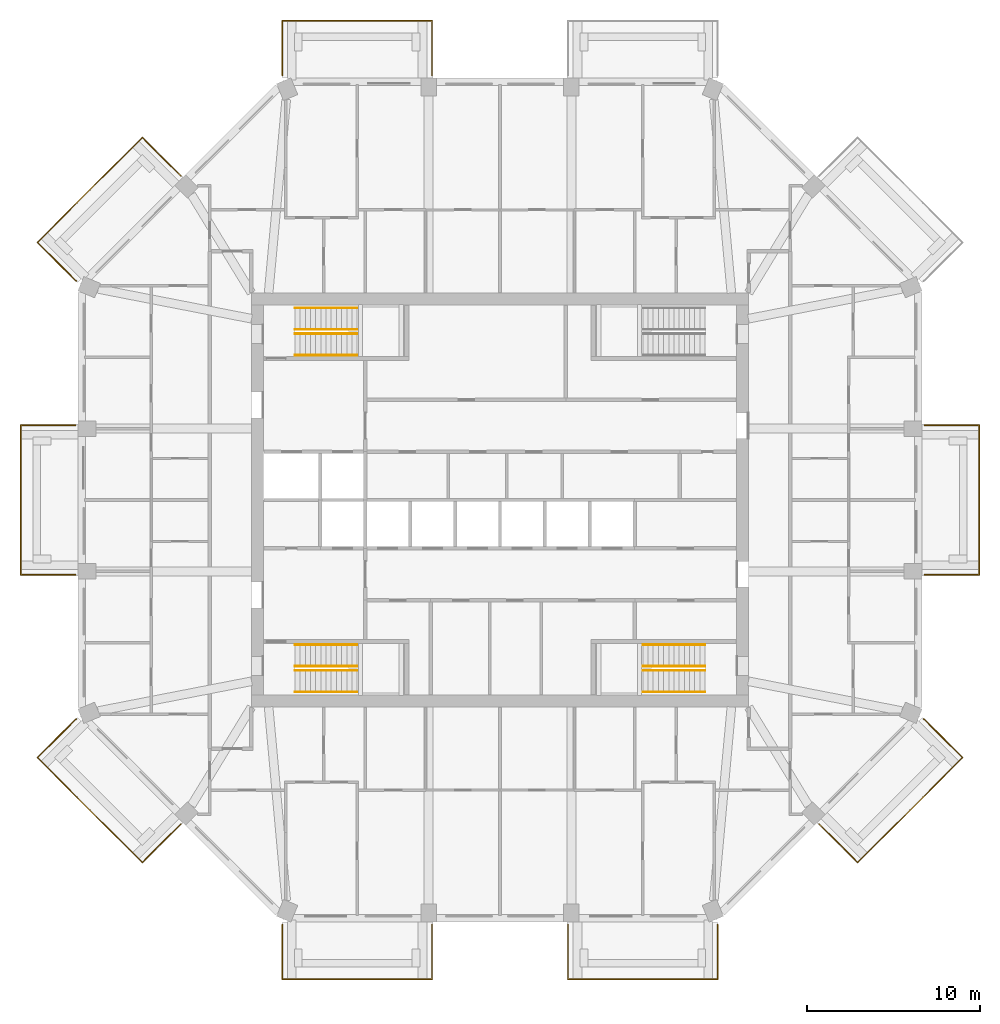
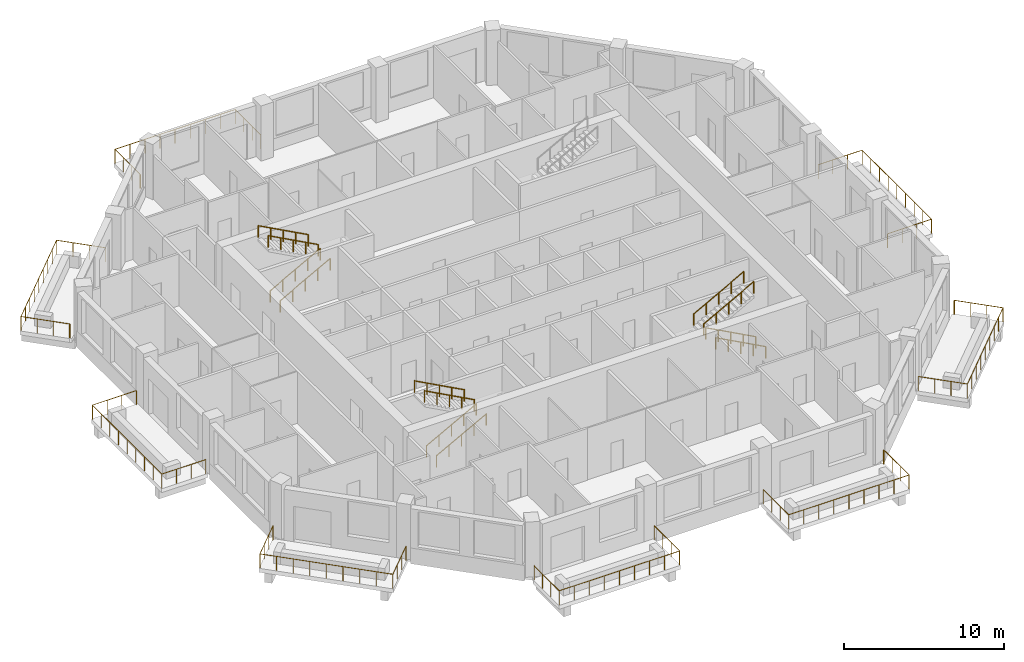
# One storey, part 11 of 12: 20 railings.
"""IFC4 building model written with IfcOpenShell, lengths in metres."""

from ifc_helpers import new_model, si_unit, direction, frame, origin, origin_2d, place, context, subcontext, project, spatial, circle, extrude, material, constituent, constituent_set, type_object, element, save


model = new_model("IFC4")

# Units and contexts
model_context = context("Model", 3, precision=1e-05, world=origin(), true_north=direction((0.0, 1.0)))
body_context = subcontext(model_context, "Body", "Model", "MODEL_VIEW")
ifc_project = project(units=[si_unit("LENGTHUNIT", "METRE"), si_unit("AREAUNIT", "SQUARE_METRE"), si_unit("VOLUMEUNIT", "CUBIC_METRE"), si_unit("PLANEANGLEUNIT", "RADIAN"), si_unit("MASSUNIT", "GRAM", prefix="KILO")], contexts=[model_context])

# Site, building, storey
site_placement = place(None, origin())
site = spatial("IfcSite", under=ifc_project, at=site_placement, CompositionType="ELEMENT")
building_placement = place(site_placement, origin())
building = spatial("IfcBuilding", under=site, at=building_placement, Name="Msitu Wima Residences", CompositionType="ELEMENT")
storey_placement = place(building_placement, frame((0.0, 0.0, 183.300048828125)))
storey = spatial("IfcBuildingStorey", under=building, at=storey_placement, Name="L42", CompositionType="ELEMENT", Elevation=183.300048828125)

# Railings
ifc_material_1 = material(Name="Steel S355", Category="steel")
ifc_constituent_1 = constituent(ifc_material_1, Name="Steel S355")
ifc_material_2 = material(Name="Weathering patina")
ifc_constituent_2 = constituent(ifc_material_2, Name="Weathering patina")
ifc_constituent_set_1 = constituent_set(constituents=[ifc_constituent_1, ifc_constituent_2], Name="Steel S355")
railing_type_1 = type_object("IfcRailingType", Name="Balcony guard GR1100", PredefinedType="GUARDRAIL", material=ifc_constituent_set_1)
railing_1_placement = place(storey_placement, frame((24.580078125, 4.337158203125, 0.0)))
element("IfcRailing", 1, at=railing_1_placement, inside=storey, type_object=railing_type_1, Name="Balcony guard E1 L42", PredefinedType="GUARDRAIL", context=body_context, shape_type="SweptSolid", body=[
    extrude(circle(Radius=0.02392578125, at=origin_2d()), frame((0.0, 0.0, 1.076171875), z_axis=(1.0, 0.0, 0.0), x_axis=(0.0, 1.0, 0.0)), (0.0, 0.0, 1.0), 3.169921875),
    extrude(circle(Radius=0.02392578125, at=origin_2d()), frame((3.169921875, 0.0, 1.076171875), z_axis=(0.0, -1.0, 0.0), x_axis=(1.0, 0.0, 0.0)), (0.0, 0.0, 1.0), 8.67431640625),
    extrude(circle(Radius=0.02392578125, at=origin_2d()), frame((3.169921875, -8.67431640625, 1.076171875), z_axis=(-1.0, 0.0, 0.0), x_axis=(0.0, -1.0, 0.0)), (0.0, 0.0, 1.0), 3.169921875),
    extrude(circle(Radius=0.02099609375, at=origin_2d()), origin(), (0.0, 0.0, 1.0), 1.052001953125),
    extrude(circle(Radius=0.02099609375, at=origin_2d()), frame((1.056640625, 0.0, 0.0)), (0.0, 0.0, 1.0), 1.052001953125),
    extrude(circle(Radius=0.02099609375, at=origin_2d()), frame((2.11328125, 0.0, 0.0)), (0.0, 0.0, 1.0), 1.052001953125),
    extrude(circle(Radius=0.02099609375, at=origin_2d()), frame((3.169921875, 0.0, 0.0)), (0.0, 0.0, 1.0), 1.052001953125),
    extrude(circle(Radius=0.02099609375, at=origin_2d()), frame((3.169921875, -1.084228515625, 0.0)), (0.0, 0.0, 1.0), 1.052001953125),
    extrude(circle(Radius=0.02099609375, at=origin_2d()), frame((3.169921875, -2.16845703125, 0.0)), (0.0, 0.0, 1.0), 1.052001953125),
    extrude(circle(Radius=0.02099609375, at=origin_2d()), frame((3.169921875, -3.2529296875, 0.0)), (0.0, 0.0, 1.0), 1.052001953125),
    extrude(circle(Radius=0.02099609375, at=origin_2d()), frame((3.169921875, -4.337158203125, 0.0)), (0.0, 0.0, 1.0), 1.052001953125),
    extrude(circle(Radius=0.02099609375, at=origin_2d()), frame((3.169921875, -5.42138671875, 0.0)), (0.0, 0.0, 1.0), 1.052001953125),
    extrude(circle(Radius=0.02099609375, at=origin_2d()), frame((3.169921875, -6.505859375, 0.0)), (0.0, 0.0, 1.0), 1.052001953125),
    extrude(circle(Radius=0.02099609375, at=origin_2d()), frame((3.169921875, -7.590087890625, 0.0)), (0.0, 0.0, 1.0), 1.052001953125),
    extrude(circle(Radius=0.02099609375, at=origin_2d()), frame((3.169921875, -8.67431640625, 0.0)), (0.0, 0.0, 1.0), 1.052001953125),
    extrude(circle(Radius=0.02099609375, at=origin_2d()), frame((2.11328125, -8.67431640625, 0.0)), (0.0, 0.0, 1.0), 1.052001953125),
    extrude(circle(Radius=0.02099609375, at=origin_2d()), frame((1.056640625, -8.67431640625, 0.0)), (0.0, 0.0, 1.0), 1.052001953125),
    extrude(circle(Radius=0.02099609375, at=origin_2d()), frame((0.0, -8.67431640625, 0.0)), (0.0, 0.0, 1.0), 1.052001953125),
])
railing_2_placement = place(storey_placement, frame((-12.597900390625, 24.580078125, 0.0)))
element("IfcRailing", 2, at=railing_2_placement, inside=storey, type_object=railing_type_1, Name="Balcony guard N2 L42", PredefinedType="GUARDRAIL", context=body_context, shape_type="SweptSolid", body=[
    extrude(circle(Radius=0.02392578125, at=origin_2d()), frame((0.0, 0.0, 1.076171875), z_axis=(-0.384136806859, 0.923276184907, 0.0), x_axis=(-0.923276184907, -0.384136806859, 0.0)), (0.0, 0.0, 1.0), 0.0361328125),
    extrude(circle(Radius=0.02392578125, at=origin_2d()), frame((-0.013916015625, 0.033447265625, 1.076171875), z_axis=(0.0, 1.0, 0.0), x_axis=(-1.0, 0.0, 0.0)), (0.0, 0.0, 1.0), 3.136474609375),
    extrude(circle(Radius=0.02392578125, at=origin_2d()), frame((-0.013916015625, 3.169921875, 1.076171875), z_axis=(1.0, 0.0, 0.0), x_axis=(0.0, 1.0, 0.0)), (0.0, 0.0, 1.0), 8.674560546875),
    extrude(circle(Radius=0.02392578125, at=origin_2d()), frame((8.66064453125, 3.169921875, 1.076171875), z_axis=(0.0, -1.0, 0.0), x_axis=(1.0, 0.0, 0.0)), (0.0, 0.0, 1.0), 3.169921875),
    extrude(circle(Radius=0.02099609375, at=origin_2d()), origin(), (0.0, 0.0, 1.0), 1.052001953125),
    extrude(circle(Radius=0.02099609375, at=origin_2d()), frame((-0.013916015625, 0.033447265625, 0.0)), (0.0, 0.0, 1.0), 1.052001953125),
    extrude(circle(Radius=0.02099609375, at=origin_2d()), frame((-0.013916015625, 1.078857421875, 0.0)), (0.0, 0.0, 1.0), 1.052001953125),
    extrude(circle(Radius=0.02099609375, at=origin_2d()), frame((-0.013916015625, 2.12451171875, 0.0)), (0.0, 0.0, 1.0), 1.052001953125),
    extrude(circle(Radius=0.02099609375, at=origin_2d()), frame((-0.013916015625, 3.169921875, 0.0)), (0.0, 0.0, 1.0), 1.052001953125),
    extrude(circle(Radius=0.02099609375, at=origin_2d()), frame((1.0703125, 3.169921875, 0.0)), (0.0, 0.0, 1.0), 1.052001953125),
    extrude(circle(Radius=0.02099609375, at=origin_2d()), frame((2.15478515625, 3.169921875, 0.0)), (0.0, 0.0, 1.0), 1.052001953125),
    extrude(circle(Radius=0.02099609375, at=origin_2d()), frame((3.239013671875, 3.169921875, 0.0)), (0.0, 0.0, 1.0), 1.052001953125),
    extrude(circle(Radius=0.02099609375, at=origin_2d()), frame((4.3232421875, 3.169921875, 0.0)), (0.0, 0.0, 1.0), 1.052001953125),
    extrude(circle(Radius=0.02099609375, at=origin_2d()), frame((5.40771484375, 3.169921875, 0.0)), (0.0, 0.0, 1.0), 1.052001953125),
    extrude(circle(Radius=0.02099609375, at=origin_2d()), frame((6.491943359375, 3.169921875, 0.0)), (0.0, 0.0, 1.0), 1.052001953125),
    extrude(circle(Radius=0.02099609375, at=origin_2d()), frame((7.576416015625, 3.169921875, 0.0)), (0.0, 0.0, 1.0), 1.052001953125),
    extrude(circle(Radius=0.02099609375, at=origin_2d()), frame((8.66064453125, 3.169921875, 0.0)), (0.0, 0.0, 1.0), 1.052001953125),
    extrude(circle(Radius=0.02099609375, at=origin_2d()), frame((8.66064453125, 2.11328125, 0.0)), (0.0, 0.0, 1.0), 1.052001953125),
    extrude(circle(Radius=0.02099609375, at=origin_2d()), frame((8.66064453125, 1.056640625, 0.0)), (0.0, 0.0, 1.0), 1.052001953125),
    extrude(circle(Radius=0.02099609375, at=origin_2d()), frame((8.66064453125, 0.0, 0.0)), (0.0, 0.0, 1.0), 1.052001953125),
])
railing_3_placement = place(storey_placement, frame((-24.541748046875, 12.690185546875, 0.0)))
element("IfcRailing", 3, at=railing_3_placement, inside=storey, type_object=railing_type_1, Name="Balcony guard NW1 L42", PredefinedType="GUARDRAIL", context=body_context, shape_type="SweptSolid", body=[
    extrude(circle(Radius=0.02392578125, at=origin_2d()), frame((0.0, 0.0, 1.076171875), z_axis=(-0.923276184907, 0.384136806859, 0.0), x_axis=(-0.384136806859, -0.923276184907, 0.0)), (0.0, 0.0, 1.0), 0.0361328125),
    extrude(circle(Radius=0.02392578125, at=origin_2d()), frame((-0.033447265625, 0.013916015625, 1.076171875), z_axis=(-0.707067861805, 0.707145698426, 0.0), x_axis=(-0.707145698426, -0.707067861805, 0.0)), (0.0, 0.0, 1.0), 3.136474609375),
    extrude(circle(Radius=0.02392578125, at=origin_2d()), frame((-2.251220703125, 2.23193359375, 1.076171875), z_axis=(0.707106781187, 0.707106781187, 0.0), x_axis=(-0.707106781187, 0.707106781187, 0.0)), (0.0, 0.0, 1.0), 8.593994140625),
    extrude(circle(Radius=0.02392578125, at=origin_2d()), frame((3.82568359375, 8.308837890625, 1.076171875), z_axis=(0.707068272989, -0.707145287287, 0.0), x_axis=(0.707145287287, 0.707068272989, 0.0)), (0.0, 0.0, 1.0), 3.170166015625),
    extrude(circle(Radius=0.02099609375, at=origin_2d()), origin(), (0.0, 0.0, 1.0), 1.052001953125),
    extrude(circle(Radius=0.02099609375, at=origin_2d()), frame((-0.033447265625, 0.013916015625, 0.0)), (0.0, 0.0, 1.0), 1.052001953125),
    extrude(circle(Radius=0.02099609375, at=origin_2d()), frame((-0.772705078125, 0.753173828125, 0.0)), (0.0, 0.0, 1.0), 1.052001953125),
    extrude(circle(Radius=0.02099609375, at=origin_2d()), frame((-1.511962890625, 1.49267578125, 0.0)), (0.0, 0.0, 1.0), 1.052001953125),
    extrude(circle(Radius=0.02099609375, at=origin_2d()), frame((-2.251220703125, 2.23193359375, 0.0)), (0.0, 0.0, 1.0), 1.052001953125),
    extrude(circle(Radius=0.02099609375, at=origin_2d()), frame((-1.49169921875, 2.991455078125, 0.0)), (0.0, 0.0, 1.0), 1.052001953125),
    extrude(circle(Radius=0.02099609375, at=origin_2d()), frame((-0.73193359375, 3.751220703125, 0.0)), (0.0, 0.0, 1.0), 1.052001953125),
    extrude(circle(Radius=0.02099609375, at=origin_2d()), frame((0.027587890625, 4.5107421875, 0.0)), (0.0, 0.0, 1.0), 1.052001953125),
    extrude(circle(Radius=0.02099609375, at=origin_2d()), frame((0.787109375, 5.2705078125, 0.0)), (0.0, 0.0, 1.0), 1.052001953125),
    extrude(circle(Radius=0.02099609375, at=origin_2d()), frame((1.546875, 6.030029296875, 0.0)), (0.0, 0.0, 1.0), 1.052001953125),
    extrude(circle(Radius=0.02099609375, at=origin_2d()), frame((2.306396484375, 6.78955078125, 0.0)), (0.0, 0.0, 1.0), 1.052001953125),
    extrude(circle(Radius=0.02099609375, at=origin_2d()), frame((3.066162109375, 7.54931640625, 0.0)), (0.0, 0.0, 1.0), 1.052001953125),
    extrude(circle(Radius=0.02099609375, at=origin_2d()), frame((3.82568359375, 8.308837890625, 0.0)), (0.0, 0.0, 1.0), 1.052001953125),
    extrude(circle(Radius=0.02099609375, at=origin_2d()), frame((4.57275390625, 7.5615234375, 0.0)), (0.0, 0.0, 1.0), 1.052001953125),
    extrude(circle(Radius=0.02099609375, at=origin_2d()), frame((5.320068359375, 6.814453125, 0.0)), (0.0, 0.0, 1.0), 1.052001953125),
    extrude(circle(Radius=0.02099609375, at=origin_2d()), frame((6.067138671875, 6.067138671875, 0.0)), (0.0, 0.0, 1.0), 1.052001953125),
])
railing_4_placement = place(storey_placement, frame((-24.580078125, -4.337158203125, 0.0)))
element("IfcRailing", 4, at=railing_4_placement, inside=storey, type_object=railing_type_1, Name="Balcony guard W1 L42", PredefinedType="GUARDRAIL", context=body_context, shape_type="SweptSolid", body=[
    extrude(circle(Radius=0.02392578125, at=origin_2d()), frame((0.0, 0.0, 1.076171875), z_axis=(-1.0, 0.0, 0.0), x_axis=(0.0, -1.0, 0.0)), (0.0, 0.0, 1.0), 3.169921875),
    extrude(circle(Radius=0.02392578125, at=origin_2d()), frame((-3.169921875, 0.0, 1.076171875), z_axis=(0.0, 1.0, 0.0), x_axis=(-1.0, 0.0, 0.0)), (0.0, 0.0, 1.0), 8.67431640625),
    extrude(circle(Radius=0.02392578125, at=origin_2d()), frame((-3.169921875, 8.67431640625, 1.076171875), z_axis=(1.0, 0.0, 0.0), x_axis=(0.0, 1.0, 0.0)), (0.0, 0.0, 1.0), 3.169921875),
    extrude(circle(Radius=0.02099609375, at=origin_2d()), origin(), (0.0, 0.0, 1.0), 1.052001953125),
    extrude(circle(Radius=0.02099609375, at=origin_2d()), frame((-1.056640625, 0.0, 0.0)), (0.0, 0.0, 1.0), 1.052001953125),
    extrude(circle(Radius=0.02099609375, at=origin_2d()), frame((-2.11328125, 0.0, 0.0)), (0.0, 0.0, 1.0), 1.052001953125),
    extrude(circle(Radius=0.02099609375, at=origin_2d()), frame((-3.169921875, 0.0, 0.0)), (0.0, 0.0, 1.0), 1.052001953125),
    extrude(circle(Radius=0.02099609375, at=origin_2d()), frame((-3.169921875, 1.084228515625, 0.0)), (0.0, 0.0, 1.0), 1.052001953125),
    extrude(circle(Radius=0.02099609375, at=origin_2d()), frame((-3.169921875, 2.16845703125, 0.0)), (0.0, 0.0, 1.0), 1.052001953125),
    extrude(circle(Radius=0.02099609375, at=origin_2d()), frame((-3.169921875, 3.2529296875, 0.0)), (0.0, 0.0, 1.0), 1.052001953125),
    extrude(circle(Radius=0.02099609375, at=origin_2d()), frame((-3.169921875, 4.337158203125, 0.0)), (0.0, 0.0, 1.0), 1.052001953125),
    extrude(circle(Radius=0.02099609375, at=origin_2d()), frame((-3.169921875, 5.42138671875, 0.0)), (0.0, 0.0, 1.0), 1.052001953125),
    extrude(circle(Radius=0.02099609375, at=origin_2d()), frame((-3.169921875, 6.505859375, 0.0)), (0.0, 0.0, 1.0), 1.052001953125),
    extrude(circle(Radius=0.02099609375, at=origin_2d()), frame((-3.169921875, 7.590087890625, 0.0)), (0.0, 0.0, 1.0), 1.052001953125),
    extrude(circle(Radius=0.02099609375, at=origin_2d()), frame((-3.169921875, 8.67431640625, 0.0)), (0.0, 0.0, 1.0), 1.052001953125),
    extrude(circle(Radius=0.02099609375, at=origin_2d()), frame((-2.11328125, 8.67431640625, 0.0)), (0.0, 0.0, 1.0), 1.052001953125),
    extrude(circle(Radius=0.02099609375, at=origin_2d()), frame((-1.056640625, 8.67431640625, 0.0)), (0.0, 0.0, 1.0), 1.052001953125),
    extrude(circle(Radius=0.02099609375, at=origin_2d()), frame((0.0, 8.67431640625, 0.0)), (0.0, 0.0, 1.0), 1.052001953125),
])
railing_5_placement = place(storey_placement, frame((-18.474609375, -18.75732421875, 0.0)))
element("IfcRailing", 5, at=railing_5_placement, inside=storey, type_object=railing_type_1, Name="Balcony guard SW0 L42", PredefinedType="GUARDRAIL", context=body_context, shape_type="SweptSolid", body=[
    extrude(circle(Radius=0.02392578125, at=origin_2d()), frame((0.0, 0.0, 1.076171875), z_axis=(-0.707068272989, -0.707145287287, 0.0), x_axis=(0.707145287287, -0.707068272989, 0.0)), (0.0, 0.0, 1.0), 3.170166015625),
    extrude(circle(Radius=0.02392578125, at=origin_2d()), frame((-2.241455078125, -2.24169921875, 1.076171875), z_axis=(-0.707106781187, 0.707106781187, 0.0), x_axis=(-0.707106781187, -0.707106781187, 0.0)), (0.0, 0.0, 1.0), 8.593994140625),
    extrude(circle(Radius=0.02392578125, at=origin_2d()), frame((-8.318359375, 3.835205078125, 1.076171875), z_axis=(0.707067861805, 0.707145698426, 0.0), x_axis=(-0.707145698426, 0.707067861805, 0.0)), (0.0, 0.0, 1.0), 3.136474609375),
    extrude(circle(Radius=0.02392578125, at=origin_2d()), frame((-6.1005859375, 6.05322265625, 1.076171875), z_axis=(0.923276184907, 0.384136806859, 0.0), x_axis=(-0.384136806859, 0.923276184907, 0.0)), (0.0, 0.0, 1.0), 0.0361328125),
    extrude(circle(Radius=0.02099609375, at=origin_2d()), origin(), (0.0, 0.0, 1.0), 1.052001953125),
    extrude(circle(Radius=0.02099609375, at=origin_2d()), frame((-0.7470703125, -0.747314453125, 0.0)), (0.0, 0.0, 1.0), 1.052001953125),
    extrude(circle(Radius=0.02099609375, at=origin_2d()), frame((-1.494384765625, -1.494384765625, 0.0)), (0.0, 0.0, 1.0), 1.052001953125),
    extrude(circle(Radius=0.02099609375, at=origin_2d()), frame((-2.241455078125, -2.24169921875, 0.0)), (0.0, 0.0, 1.0), 1.052001953125),
    extrude(circle(Radius=0.02099609375, at=origin_2d()), frame((-3.0009765625, -1.482177734375, 0.0)), (0.0, 0.0, 1.0), 1.052001953125),
    extrude(circle(Radius=0.02099609375, at=origin_2d()), frame((-3.7607421875, -0.722412109375, 0.0)), (0.0, 0.0, 1.0), 1.052001953125),
    extrude(circle(Radius=0.02099609375, at=origin_2d()), frame((-4.520263671875, 0.037109375, 0.0)), (0.0, 0.0, 1.0), 1.052001953125),
    extrude(circle(Radius=0.02099609375, at=origin_2d()), frame((-5.27978515625, 0.796875, 0.0)), (0.0, 0.0, 1.0), 1.052001953125),
    extrude(circle(Radius=0.02099609375, at=origin_2d()), frame((-6.03955078125, 1.556396484375, 0.0)), (0.0, 0.0, 1.0), 1.052001953125),
    extrude(circle(Radius=0.02099609375, at=origin_2d()), frame((-6.799072265625, 2.31591796875, 0.0)), (0.0, 0.0, 1.0), 1.052001953125),
    extrude(circle(Radius=0.02099609375, at=origin_2d()), frame((-7.558837890625, 3.07568359375, 0.0)), (0.0, 0.0, 1.0), 1.052001953125),
    extrude(circle(Radius=0.02099609375, at=origin_2d()), frame((-8.318359375, 3.835205078125, 0.0)), (0.0, 0.0, 1.0), 1.052001953125),
    extrude(circle(Radius=0.02099609375, at=origin_2d()), frame((-7.5791015625, 4.574462890625, 0.0)), (0.0, 0.0, 1.0), 1.052001953125),
    extrude(circle(Radius=0.02099609375, at=origin_2d()), frame((-6.83984375, 5.31396484375, 0.0)), (0.0, 0.0, 1.0), 1.052001953125),
    extrude(circle(Radius=0.02099609375, at=origin_2d()), frame((-6.1005859375, 6.05322265625, 0.0)), (0.0, 0.0, 1.0), 1.052001953125),
    extrude(circle(Radius=0.02099609375, at=origin_2d()), frame((-6.067138671875, 6.067138671875, 0.0)), (0.0, 0.0, 1.0), 1.052001953125),
])
railing_6_placement = place(storey_placement, frame((-3.937255859375, -24.580078125, 0.0)))
element("IfcRailing", 6, at=railing_6_placement, inside=storey, type_object=railing_type_1, Name="Balcony guard S0 L42", PredefinedType="GUARDRAIL", context=body_context, shape_type="SweptSolid", body=[
    extrude(circle(Radius=0.02392578125, at=origin_2d()), frame((0.0, 0.0, 1.076171875), z_axis=(0.0, -1.0, 0.0), x_axis=(1.0, 0.0, 0.0)), (0.0, 0.0, 1.0), 3.169921875),
    extrude(circle(Radius=0.02392578125, at=origin_2d()), frame((0.0, -3.169921875, 1.076171875), z_axis=(-1.0, 0.0, 0.0), x_axis=(0.0, -1.0, 0.0)), (0.0, 0.0, 1.0), 8.674560546875),
    extrude(circle(Radius=0.02392578125, at=origin_2d()), frame((-8.674560546875, -3.169921875, 1.076171875), z_axis=(0.0, 1.0, 0.0), x_axis=(-1.0, 0.0, 0.0)), (0.0, 0.0, 1.0), 3.136474609375),
    extrude(circle(Radius=0.02392578125, at=origin_2d()), frame((-8.674560546875, -0.033447265625, 1.076171875), z_axis=(0.384136806859, 0.923276184907, 0.0), x_axis=(-0.923276184907, 0.384136806859, 0.0)), (0.0, 0.0, 1.0), 0.0361328125),
    extrude(circle(Radius=0.02099609375, at=origin_2d()), origin(), (0.0, 0.0, 1.0), 1.052001953125),
    extrude(circle(Radius=0.02099609375, at=origin_2d()), frame((0.0, -1.056640625, 0.0)), (0.0, 0.0, 1.0), 1.052001953125),
    extrude(circle(Radius=0.02099609375, at=origin_2d()), frame((0.0, -2.11328125, 0.0)), (0.0, 0.0, 1.0), 1.052001953125),
    extrude(circle(Radius=0.02099609375, at=origin_2d()), frame((0.0, -3.169921875, 0.0)), (0.0, 0.0, 1.0), 1.052001953125),
    extrude(circle(Radius=0.02099609375, at=origin_2d()), frame((-1.084228515625, -3.169921875, 0.0)), (0.0, 0.0, 1.0), 1.052001953125),
    extrude(circle(Radius=0.02099609375, at=origin_2d()), frame((-2.168701171875, -3.169921875, 0.0)), (0.0, 0.0, 1.0), 1.052001953125),
    extrude(circle(Radius=0.02099609375, at=origin_2d()), frame((-3.2529296875, -3.169921875, 0.0)), (0.0, 0.0, 1.0), 1.052001953125),
    extrude(circle(Radius=0.02099609375, at=origin_2d()), frame((-4.33740234375, -3.169921875, 0.0)), (0.0, 0.0, 1.0), 1.052001953125),
    extrude(circle(Radius=0.02099609375, at=origin_2d()), frame((-5.421630859375, -3.169921875, 0.0)), (0.0, 0.0, 1.0), 1.052001953125),
    extrude(circle(Radius=0.02099609375, at=origin_2d()), frame((-6.505859375, -3.169921875, 0.0)), (0.0, 0.0, 1.0), 1.052001953125),
    extrude(circle(Radius=0.02099609375, at=origin_2d()), frame((-7.59033203125, -3.169921875, 0.0)), (0.0, 0.0, 1.0), 1.052001953125),
    extrude(circle(Radius=0.02099609375, at=origin_2d()), frame((-8.674560546875, -3.169921875, 0.0)), (0.0, 0.0, 1.0), 1.052001953125),
    extrude(circle(Radius=0.02099609375, at=origin_2d()), frame((-8.674560546875, -2.12451171875, 0.0)), (0.0, 0.0, 1.0), 1.052001953125),
    extrude(circle(Radius=0.02099609375, at=origin_2d()), frame((-8.674560546875, -1.078857421875, 0.0)), (0.0, 0.0, 1.0), 1.052001953125),
    extrude(circle(Radius=0.02099609375, at=origin_2d()), frame((-8.674560546875, -0.033447265625, 0.0)), (0.0, 0.0, 1.0), 1.052001953125),
    extrude(circle(Radius=0.02099609375, at=origin_2d()), frame((-8.66064453125, 0.0, 0.0)), (0.0, 0.0, 1.0), 1.052001953125),
])
railing_7_placement = place(storey_placement, frame((12.597900390625, -24.580078125, 0.0)))
element("IfcRailing", 7, at=railing_7_placement, inside=storey, type_object=railing_type_1, Name="Balcony guard S2 L42", PredefinedType="GUARDRAIL", context=body_context, shape_type="SweptSolid", body=[
    extrude(circle(Radius=0.02392578125, at=origin_2d()), frame((0.0, 0.0, 1.076171875), z_axis=(0.384136806859, -0.923276184907, 0.0), x_axis=(0.923276184907, 0.384136806859, 0.0)), (0.0, 0.0, 1.0), 0.0361328125),
    extrude(circle(Radius=0.02392578125, at=origin_2d()), frame((0.013916015625, -0.033447265625, 1.076171875), z_axis=(0.0, -1.0, 0.0), x_axis=(1.0, 0.0, 0.0)), (0.0, 0.0, 1.0), 3.136474609375),
    extrude(circle(Radius=0.02392578125, at=origin_2d()), frame((0.013916015625, -3.169921875, 1.076171875), z_axis=(-1.0, 0.0, 0.0), x_axis=(0.0, -1.0, 0.0)), (0.0, 0.0, 1.0), 8.674560546875),
    extrude(circle(Radius=0.02392578125, at=origin_2d()), frame((-8.66064453125, -3.169921875, 1.076171875), z_axis=(0.0, 1.0, 0.0), x_axis=(-1.0, 0.0, 0.0)), (0.0, 0.0, 1.0), 3.169921875),
    extrude(circle(Radius=0.02099609375, at=origin_2d()), origin(), (0.0, 0.0, 1.0), 1.052001953125),
    extrude(circle(Radius=0.02099609375, at=origin_2d()), frame((0.013916015625, -0.033447265625, 0.0)), (0.0, 0.0, 1.0), 1.052001953125),
    extrude(circle(Radius=0.02099609375, at=origin_2d()), frame((0.013916015625, -1.078857421875, 0.0)), (0.0, 0.0, 1.0), 1.052001953125),
    extrude(circle(Radius=0.02099609375, at=origin_2d()), frame((0.013916015625, -2.12451171875, 0.0)), (0.0, 0.0, 1.0), 1.052001953125),
    extrude(circle(Radius=0.02099609375, at=origin_2d()), frame((0.013916015625, -3.169921875, 0.0)), (0.0, 0.0, 1.0), 1.052001953125),
    extrude(circle(Radius=0.02099609375, at=origin_2d()), frame((-1.0703125, -3.169921875, 0.0)), (0.0, 0.0, 1.0), 1.052001953125),
    extrude(circle(Radius=0.02099609375, at=origin_2d()), frame((-2.15478515625, -3.169921875, 0.0)), (0.0, 0.0, 1.0), 1.052001953125),
    extrude(circle(Radius=0.02099609375, at=origin_2d()), frame((-3.239013671875, -3.169921875, 0.0)), (0.0, 0.0, 1.0), 1.052001953125),
    extrude(circle(Radius=0.02099609375, at=origin_2d()), frame((-4.3232421875, -3.169921875, 0.0)), (0.0, 0.0, 1.0), 1.052001953125),
    extrude(circle(Radius=0.02099609375, at=origin_2d()), frame((-5.40771484375, -3.169921875, 0.0)), (0.0, 0.0, 1.0), 1.052001953125),
    extrude(circle(Radius=0.02099609375, at=origin_2d()), frame((-6.491943359375, -3.169921875, 0.0)), (0.0, 0.0, 1.0), 1.052001953125),
    extrude(circle(Radius=0.02099609375, at=origin_2d()), frame((-7.576416015625, -3.169921875, 0.0)), (0.0, 0.0, 1.0), 1.052001953125),
    extrude(circle(Radius=0.02099609375, at=origin_2d()), frame((-8.66064453125, -3.169921875, 0.0)), (0.0, 0.0, 1.0), 1.052001953125),
    extrude(circle(Radius=0.02099609375, at=origin_2d()), frame((-8.66064453125, -2.11328125, 0.0)), (0.0, 0.0, 1.0), 1.052001953125),
    extrude(circle(Radius=0.02099609375, at=origin_2d()), frame((-8.66064453125, -1.056640625, 0.0)), (0.0, 0.0, 1.0), 1.052001953125),
    extrude(circle(Radius=0.02099609375, at=origin_2d()), frame((-8.66064453125, 0.0, 0.0)), (0.0, 0.0, 1.0), 1.052001953125),
])
railing_8_placement = place(storey_placement, frame((24.541748046875, -12.690185546875, 0.0)))
element("IfcRailing", 8, at=railing_8_placement, inside=storey, type_object=railing_type_1, Name="Balcony guard SE1 L42", PredefinedType="GUARDRAIL", context=body_context, shape_type="SweptSolid", body=[
    extrude(circle(Radius=0.02392578125, at=origin_2d()), frame((0.0, 0.0, 1.076171875), z_axis=(0.923276184907, -0.384136806859, 0.0), x_axis=(0.384136806859, 0.923276184907, 0.0)), (0.0, 0.0, 1.0), 0.0361328125),
    extrude(circle(Radius=0.02392578125, at=origin_2d()), frame((0.033447265625, -0.013916015625, 1.076171875), z_axis=(0.707067861805, -0.707145698426, 0.0), x_axis=(0.707145698426, 0.707067861805, 0.0)), (0.0, 0.0, 1.0), 3.136474609375),
    extrude(circle(Radius=0.02392578125, at=origin_2d()), frame((2.251220703125, -2.23193359375, 1.076171875), z_axis=(-0.707106781187, -0.707106781187, 0.0), x_axis=(0.707106781187, -0.707106781187, 0.0)), (0.0, 0.0, 1.0), 8.593994140625),
    extrude(circle(Radius=0.02392578125, at=origin_2d()), frame((-3.82568359375, -8.308837890625, 1.076171875), z_axis=(-0.707068272989, 0.707145287287, 0.0), x_axis=(-0.707145287287, -0.707068272989, 0.0)), (0.0, 0.0, 1.0), 3.170166015625),
    extrude(circle(Radius=0.02099609375, at=origin_2d()), origin(), (0.0, 0.0, 1.0), 1.052001953125),
    extrude(circle(Radius=0.02099609375, at=origin_2d()), frame((0.033447265625, -0.013916015625, 0.0)), (0.0, 0.0, 1.0), 1.052001953125),
    extrude(circle(Radius=0.02099609375, at=origin_2d()), frame((0.772705078125, -0.753173828125, 0.0)), (0.0, 0.0, 1.0), 1.052001953125),
    extrude(circle(Radius=0.02099609375, at=origin_2d()), frame((1.511962890625, -1.49267578125, 0.0)), (0.0, 0.0, 1.0), 1.052001953125),
    extrude(circle(Radius=0.02099609375, at=origin_2d()), frame((2.251220703125, -2.23193359375, 0.0)), (0.0, 0.0, 1.0), 1.052001953125),
    extrude(circle(Radius=0.02099609375, at=origin_2d()), frame((1.49169921875, -2.991455078125, 0.0)), (0.0, 0.0, 1.0), 1.052001953125),
    extrude(circle(Radius=0.02099609375, at=origin_2d()), frame((0.73193359375, -3.751220703125, 0.0)), (0.0, 0.0, 1.0), 1.052001953125),
    extrude(circle(Radius=0.02099609375, at=origin_2d()), frame((-0.027587890625, -4.5107421875, 0.0)), (0.0, 0.0, 1.0), 1.052001953125),
    extrude(circle(Radius=0.02099609375, at=origin_2d()), frame((-0.787109375, -5.2705078125, 0.0)), (0.0, 0.0, 1.0), 1.052001953125),
    extrude(circle(Radius=0.02099609375, at=origin_2d()), frame((-1.546875, -6.030029296875, 0.0)), (0.0, 0.0, 1.0), 1.052001953125),
    extrude(circle(Radius=0.02099609375, at=origin_2d()), frame((-2.306396484375, -6.78955078125, 0.0)), (0.0, 0.0, 1.0), 1.052001953125),
    extrude(circle(Radius=0.02099609375, at=origin_2d()), frame((-3.066162109375, -7.54931640625, 0.0)), (0.0, 0.0, 1.0), 1.052001953125),
    extrude(circle(Radius=0.02099609375, at=origin_2d()), frame((-3.82568359375, -8.308837890625, 0.0)), (0.0, 0.0, 1.0), 1.052001953125),
    extrude(circle(Radius=0.02099609375, at=origin_2d()), frame((-4.57275390625, -7.5615234375, 0.0)), (0.0, 0.0, 1.0), 1.052001953125),
    extrude(circle(Radius=0.02099609375, at=origin_2d()), frame((-5.320068359375, -6.814453125, 0.0)), (0.0, 0.0, 1.0), 1.052001953125),
    extrude(circle(Radius=0.02099609375, at=origin_2d()), frame((-6.067138671875, -6.067138671875, 0.0)), (0.0, 0.0, 1.0), 1.052001953125),
])
ifc_constituent_3 = constituent(ifc_material_1, Name="Steel S355")
ifc_material_3 = material(Name="Black powder coating")
ifc_constituent_4 = constituent(ifc_material_3, Name="Black powder coating")
ifc_constituent_set_2 = constituent_set(constituents=[ifc_constituent_3, ifc_constituent_4], Name="Steel S355")
railing_type_2 = type_object("IfcRailingType", Name="Stair handrail HR1", PredefinedType="HANDRAIL", material=ifc_constituent_set_2)
for number, where, name in (
    (9, (-11.875, 8.375, 0.161376953125), "Stair 1 handrail"),
    (10, (-11.875, 9.625, 0.161376953125), "Stair 1 handrail"),
):
    element("IfcRailing", number, at=place(storey_placement, frame(where)), inside=storey, type_object=railing_type_2, Name=name, PredefinedType="HANDRAIL", context=body_context, shape_type="SweptSolid", body=[
        extrude(circle(Radius=0.02392578125, at=origin_2d()), frame((0.0, 0.0, 0.8759765625), z_axis=(0.880474934443, 0.0, 0.474092701714), x_axis=(0.0, 1.0, 0.0)), (0.0, 0.0, 1.0), 4.0888671875),
        extrude(circle(Radius=0.02099609375, at=origin_2d()), origin(), (0.0, 0.0, 1.0), 0.851806640625),
        extrude(circle(Radius=0.02099609375, at=origin_2d()), frame((0.89990234375, 0.0, 0.484619140625)), (0.0, 0.0, 1.0), 0.851806640625),
        extrude(circle(Radius=0.02099609375, at=origin_2d()), frame((1.800048828125, 0.0, 0.96923828125)), (0.0, 0.0, 1.0), 0.851806640625),
        extrude(circle(Radius=0.02099609375, at=origin_2d()), frame((2.7001953125, 0.0, 1.453857421875)), (0.0, 0.0, 1.0), 0.851806640625),
        extrude(circle(Radius=0.02099609375, at=origin_2d()), frame((3.60009765625, 0.0, 1.9384765625)), (0.0, 0.0, 1.0), 0.851806640625),
    ])
for number, where, name in (
    (11, (-8.27490234375, 9.875, 2.261474609375), "Stair 1 handrail"),
    (12, (-8.27490234375, 11.125, 2.261474609375), "Stair 1 handrail"),
):
    element("IfcRailing", number, at=place(storey_placement, frame(where)), inside=storey, type_object=railing_type_2, Name=name, PredefinedType="HANDRAIL", context=body_context, shape_type="SweptSolid", body=[
        extrude(circle(Radius=0.02392578125, at=origin_2d()), frame((0.0, 0.0, 0.8759765625), z_axis=(-0.880474934443, 0.0, 0.474092701714), x_axis=(0.0, -1.0, 0.0)), (0.0, 0.0, 1.0), 4.0888671875),
        extrude(circle(Radius=0.02099609375, at=origin_2d()), origin(), (0.0, 0.0, 1.0), 0.851806640625),
        extrude(circle(Radius=0.02099609375, at=origin_2d()), frame((-0.89990234375, 0.0, 0.484619140625)), (0.0, 0.0, 1.0), 0.851806640625),
        extrude(circle(Radius=0.02099609375, at=origin_2d()), frame((-1.800048828125, 0.0, 0.96923828125)), (0.0, 0.0, 1.0), 0.851806640625),
        extrude(circle(Radius=0.02099609375, at=origin_2d()), frame((-2.7001953125, 0.0, 1.453857421875)), (0.0, 0.0, 1.0), 0.851806640625),
        extrude(circle(Radius=0.02099609375, at=origin_2d()), frame((-3.60009765625, 0.0, 1.9384765625)), (0.0, 0.0, 1.0), 0.851806640625),
    ])
for number, where, name in (
    (13, (-11.875, -11.125, 0.161376953125), "Stair 2 handrail"),
    (14, (-11.875, -9.875, 0.161376953125), "Stair 2 handrail"),
):
    element("IfcRailing", number, at=place(storey_placement, frame(where)), inside=storey, type_object=railing_type_2, Name=name, PredefinedType="HANDRAIL", context=body_context, shape_type="SweptSolid", body=[
        extrude(circle(Radius=0.02392578125, at=origin_2d()), frame((0.0, 0.0, 0.8759765625), z_axis=(0.880474934443, 0.0, 0.474092701714), x_axis=(0.0, 1.0, 0.0)), (0.0, 0.0, 1.0), 4.0888671875),
        extrude(circle(Radius=0.02099609375, at=origin_2d()), origin(), (0.0, 0.0, 1.0), 0.851806640625),
        extrude(circle(Radius=0.02099609375, at=origin_2d()), frame((0.89990234375, 0.0, 0.484619140625)), (0.0, 0.0, 1.0), 0.851806640625),
        extrude(circle(Radius=0.02099609375, at=origin_2d()), frame((1.800048828125, 0.0, 0.96923828125)), (0.0, 0.0, 1.0), 0.851806640625),
        extrude(circle(Radius=0.02099609375, at=origin_2d()), frame((2.7001953125, 0.0, 1.453857421875)), (0.0, 0.0, 1.0), 0.851806640625),
        extrude(circle(Radius=0.02099609375, at=origin_2d()), frame((3.60009765625, 0.0, 1.9384765625)), (0.0, 0.0, 1.0), 0.851806640625),
    ])
for number, where, name in (
    (15, (-8.27490234375, -9.625, 2.261474609375), "Stair 2 handrail"),
    (16, (-8.27490234375, -8.375, 2.261474609375), "Stair 2 handrail"),
    (17, (11.875, -11.125, 0.161376953125), "Stair 4 handrail"),
    (18, (11.875, -9.875, 0.161376953125), "Stair 4 handrail"),
):
    element("IfcRailing", number, at=place(storey_placement, frame(where)), inside=storey, type_object=railing_type_2, Name=name, PredefinedType="HANDRAIL", context=body_context, shape_type="SweptSolid", body=[
        extrude(circle(Radius=0.02392578125, at=origin_2d()), frame((0.0, 0.0, 0.8759765625), z_axis=(-0.880474934443, 0.0, 0.474092701714), x_axis=(0.0, -1.0, 0.0)), (0.0, 0.0, 1.0), 4.0888671875),
        extrude(circle(Radius=0.02099609375, at=origin_2d()), origin(), (0.0, 0.0, 1.0), 0.851806640625),
        extrude(circle(Radius=0.02099609375, at=origin_2d()), frame((-0.89990234375, 0.0, 0.484619140625)), (0.0, 0.0, 1.0), 0.851806640625),
        extrude(circle(Radius=0.02099609375, at=origin_2d()), frame((-1.800048828125, 0.0, 0.96923828125)), (0.0, 0.0, 1.0), 0.851806640625),
        extrude(circle(Radius=0.02099609375, at=origin_2d()), frame((-2.7001953125, 0.0, 1.453857421875)), (0.0, 0.0, 1.0), 0.851806640625),
        extrude(circle(Radius=0.02099609375, at=origin_2d()), frame((-3.60009765625, 0.0, 1.9384765625)), (0.0, 0.0, 1.0), 0.851806640625),
    ])
for number, where, name in (
    (19, (8.27490234375, -9.625, 2.261474609375), "Stair 4 handrail"),
    (20, (8.27490234375, -8.375, 2.261474609375), "Stair 4 handrail"),
):
    element("IfcRailing", number, at=place(storey_placement, frame(where)), inside=storey, type_object=railing_type_2, Name=name, PredefinedType="HANDRAIL", context=body_context, shape_type="SweptSolid", body=[
        extrude(circle(Radius=0.02392578125, at=origin_2d()), frame((0.0, 0.0, 0.8759765625), z_axis=(0.880474934443, 0.0, 0.474092701714), x_axis=(0.0, 1.0, 0.0)), (0.0, 0.0, 1.0), 4.0888671875),
        extrude(circle(Radius=0.02099609375, at=origin_2d()), origin(), (0.0, 0.0, 1.0), 0.851806640625),
        extrude(circle(Radius=0.02099609375, at=origin_2d()), frame((0.89990234375, 0.0, 0.484619140625)), (0.0, 0.0, 1.0), 0.851806640625),
        extrude(circle(Radius=0.02099609375, at=origin_2d()), frame((1.800048828125, 0.0, 0.96923828125)), (0.0, 0.0, 1.0), 0.851806640625),
        extrude(circle(Radius=0.02099609375, at=origin_2d()), frame((2.7001953125, 0.0, 1.453857421875)), (0.0, 0.0, 1.0), 0.851806640625),
        extrude(circle(Radius=0.02099609375, at=origin_2d()), frame((3.60009765625, 0.0, 1.9384765625)), (0.0, 0.0, 1.0), 0.851806640625),
    ])

save(model, "model.ifc")
